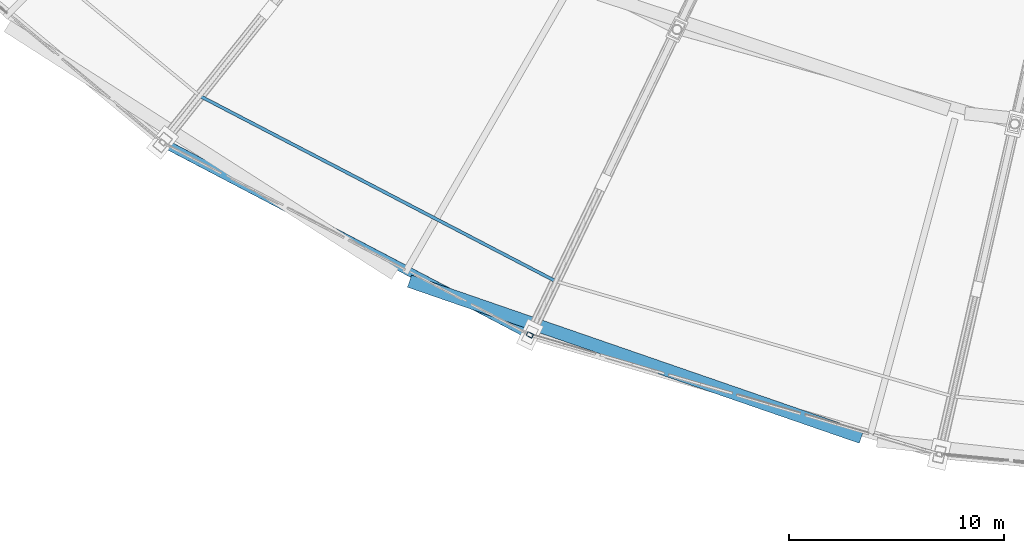
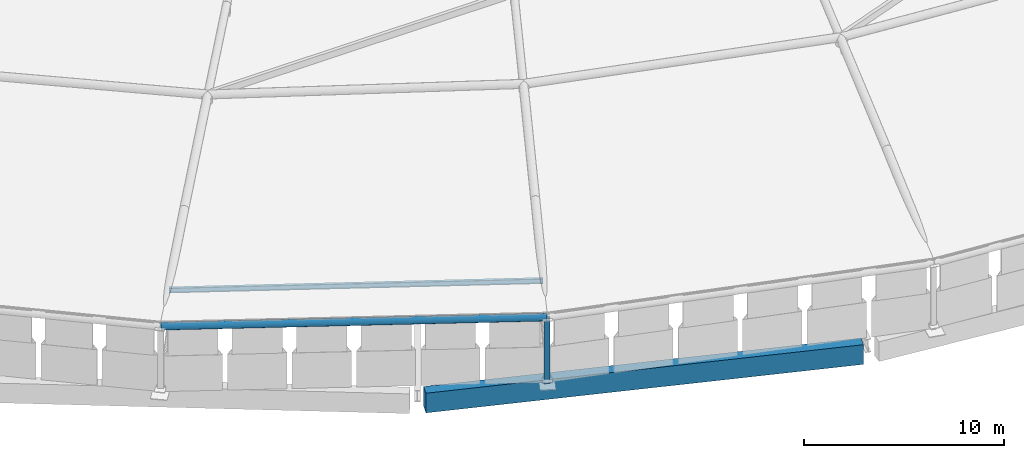
# One storey, part 2 of 108: 3 members, 1 beam.
"""IFC4 building model written with IfcOpenShell, lengths in metres."""

from ifc_helpers import new_model, si_unit, direction, frame, origin, origin_2d, place, context, subcontext, project, spatial, rectangle, hollow_rectangle, hollow_circle, i_section, extrude, material, material_profile, profile_set, type_object, element, save


model = new_model("IFC4")

# Units and contexts
model_context = context("Model", 3, precision=1e-05, world=origin(), true_north=direction((0.0, 1.0)))
body_context = subcontext(model_context, "Body", "Model", "MODEL_VIEW")
ifc_project = project(units=[si_unit("LENGTHUNIT", "METRE"), si_unit("AREAUNIT", "SQUARE_METRE"), si_unit("VOLUMEUNIT", "CUBIC_METRE"), si_unit("PLANEANGLEUNIT", "RADIAN"), si_unit("MASSUNIT", "GRAM", prefix="KILO")], contexts=[model_context])

# Site, building, storey
site_placement = place(None, origin())
site = spatial("IfcSite", under=ifc_project, at=site_placement, CompositionType="ELEMENT")
building_placement = place(site_placement, origin())
building = spatial("IfcBuilding", under=site, at=building_placement, Name="Zevraka Park Crest Stadium", CompositionType="ELEMENT")
storey_placement = place(building_placement, frame((0.0, 0.0, 29.39990234375)))
storey = spatial("IfcBuildingStorey", under=building, at=storey_placement, Name="RF", CompositionType="ELEMENT", Elevation=29.39990234375)

# Member
ifc_material_1 = material(Name="Steel S355", Category="steel")
ifc_material_profile_1 = material_profile(ifc_material_1, i_section(OverallWidth=0.14990234375, OverallDepth=0.300048828125, WebThickness=0.007080078125, FlangeThickness=0.0107421875, at=origin_2d()), Name="IPE 300")
ifc_profile_set_1 = profile_set([ifc_material_profile_1], Name="Steel S355")
member_type_1 = type_object("IfcMemberType", Name="PR02", PredefinedType="PURLIN", material=ifc_profile_set_1)
member_1_placement = place(storey_placement, frame((57.429931640625, 35.298095703125, 4.287109375), z_axis=(0.886970325998, -0.461826418471, 0.0), x_axis=(0.461826418471, 0.886970325998, 0.0)))
element("IfcMember", 1, at=member_1_placement, inside=storey, type_object=member_type_1, Name="Canopy Roof Purlin PR02 OUTER-19-1", PredefinedType="PURLIN", context=body_context, shape_type="SweptSolid", body=[
    extrude(i_section(OverallWidth=0.14990234375, OverallDepth=0.300048828125, WebThickness=0.007080078125, FlangeThickness=0.0107421875, at=origin_2d()), origin(), (0.0, 0.0, 1.0), 18.708740234375),
])

# Beam
ifc_material_2 = material(Name="Concrete C40/50", Category="concrete")
ifc_material_profile_2 = material_profile(ifc_material_2, rectangle(XDim=0.60009765625, YDim=1.199951171875, at=origin_2d()), Name="RC 1200x600")
ifc_profile_set_2 = profile_set([ifc_material_profile_2], Name="Concrete C40/50")
beam_type = type_object("IfcBeamType", Name="RB01", PredefinedType="BEAM", material=ifc_profile_set_2)
beam_placement = place(storey_placement, frame((67.208984375, 26.6640625, -0.599853515625), z_axis=(0.945210431582, -0.326461697644, 0.0), x_axis=(0.326461697644, 0.945210431582, 0.0)))
element("IfcBeam", 2, at=beam_placement, inside=storey, type_object=beam_type, Name="Ring Beam RB01 RF-D-16", PredefinedType="BEAM", context=body_context, shape_type="SweptSolid", body=[
    extrude(rectangle(XDim=0.60009765625, YDim=1.199951171875, at=origin_2d()), origin(), (0.0, 0.0, 1.0), 22.28173828125),
])

# Members
ifc_material_3 = material(Name="Steel S355", Category="steel")
ifc_material_profile_3 = material_profile(ifc_material_3, hollow_circle(Radius=0.203125, WallThickness=0.02001953125, at=origin_2d()), Name="CHS 406.4x20")
ifc_profile_set_3 = profile_set([ifc_material_profile_3], Name="Steel S355")
member_type_2 = type_object("IfcMemberType", Name="TC03", PredefinedType="CHORD", material=ifc_profile_set_3)
member_2_placement = place(storey_placement, frame((55.698974609375, 33.1279296875, 4.0), z_axis=(0.885772936576, -0.464118847742, 0.0), x_axis=(0.464118847742, 0.885772936576, 0.0)))
element("IfcMember", 3, at=member_2_placement, inside=storey, type_object=member_type_2, Name="Roof Outer Canopy Ring Chord TC03 19", PredefinedType="CHORD", context=body_context, shape_type="SweptSolid", body=[
    extrude(hollow_circle(Radius=0.203125, WallThickness=0.02001953125, at=origin_2d()), origin(), (0.0, 0.0, 1.0), 19.3291015625),
])
ifc_material_4 = material(Name="Steel S355", Category="steel")
ifc_material_profile_4 = material_profile(ifc_material_4, hollow_rectangle(XDim=0.199951171875, YDim=0.300048828125, WallThickness=0.012451171875, at=origin_2d()), Name="RHS 300x200x12.5")
ifc_profile_set_4 = profile_set([ifc_material_profile_4], Name="Steel S355")
member_type_3 = type_object("IfcMemberType", Name="WB03", PredefinedType="BRACE", material=ifc_profile_set_4)
member_3_placement = place(storey_placement, frame((72.820068359375, 24.156982421875, 0.0), z_axis=(0.0, 0.0, 1.0), x_axis=(0.43381634559, 0.90100131981, 0.0)))
element("IfcMember", 4, at=member_3_placement, inside=storey, type_object=member_type_3, Name="Roof Truss Anchor Strut WB03 T20-0", PredefinedType="BRACE", context=body_context, shape_type="SweptSolid", body=[
    extrude(hollow_rectangle(XDim=0.199951171875, YDim=0.300048828125, WallThickness=0.012451171875, at=origin_2d()), origin(), (0.0, 0.0, 1.0), 4.0),
])

save(model, "model.ifc")
